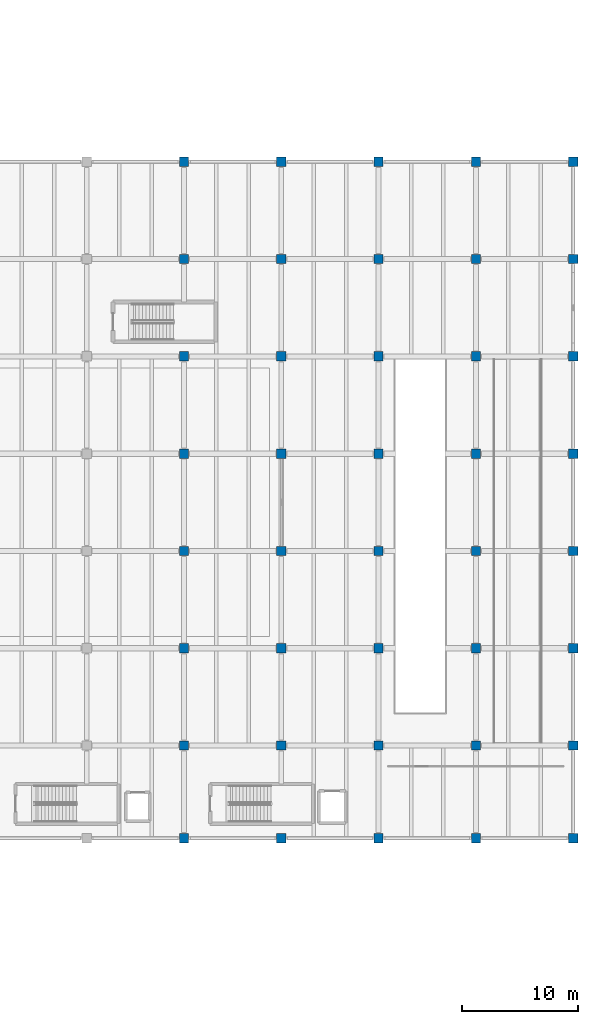
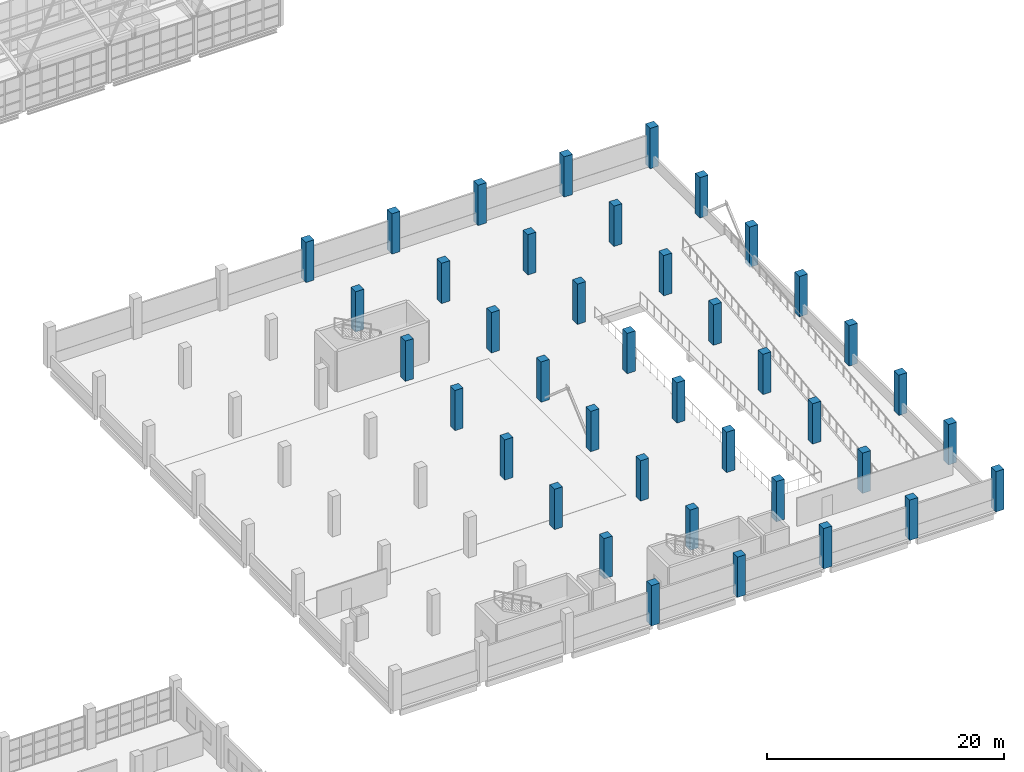
# One storey, part 6 of 177: 40 columns.
"""IFC4 building model written with IfcOpenShell, lengths in metres."""

import ifcopenshell
import ifcopenshell.guid

model = None  # the IFC model being written
_history = None  # IfcOwnerHistory: only IFC2X3 demands one
_inside = {}  # id of a spatial element -> (the spatial element, [elements in it])
_under = {}  # id of a project, library or spatial element -> (it, [spatial elements below it])
_declared = {}  # id of a project -> (the project, [libraries it declares])
_typed = {}  # id of a type object -> (the type object, [elements of that type])
_made_of = {}  # id of a material, layer set ... -> (it, [elements and type objects made of it])


def new_model(schema):
    """Start an empty IFC model of exactly this schema.

    Asked for "IFC4X3", IfcOpenShell would pick the latest addendum, in which some entities
    have other attributes; the version numbers below select the first issue.
    IFC2X3 requires an IfcOwnerHistory on every rooted entity: one is made here for all.
    """
    global model, _history
    if schema == "IFC4X3":
        model = ifcopenshell.file(schema_version=(4, 3, 0, 0))
    else:
        model = ifcopenshell.file(schema=schema)
    _inside.clear()
    _under.clear()
    _declared.clear()
    _typed.clear()
    _made_of.clear()
    _history = None
    if model.schema == "IFC2X3":
        org = make("IfcOrganization", Name="unknown")
        user = make(
            "IfcPersonAndOrganization",
            ThePerson=make("IfcPerson", FamilyName="unknown"),
            TheOrganization=org,
        )
        app = make(
            "IfcApplication",
            ApplicationDeveloper=org,
            Version="unknown",
            ApplicationFullName="unknown",
            ApplicationIdentifier="unknown",
        )
        _history = make(
            "IfcOwnerHistory",
            OwningUser=user,
            OwningApplication=app,
            ChangeAction="ADDED",
            CreationDate=0,
        )
    return model


def make(cls, **values):
    """One entity of the class cls with the attributes given. An attribute that is None is left unset."""
    return model.create_entity(
        cls, **{name: value for name, value in values.items() if value is not None}
    )


def rooted(cls, **values):
    """An entity with a GlobalId (a new one), such as an element, a storey or a relation."""
    return make(cls, GlobalId=ifcopenshell.guid.new(), OwnerHistory=_history, **values)


def si_unit(unit_type, name, prefix=None):
    """IfcSIUnit, for example si_unit("LENGTHUNIT", "METRE", prefix="MILLI")."""
    return make("IfcSIUnit", UnitType=unit_type, Prefix=prefix, Name=name)


def assignment(units):
    """IfcUnitAssignment: the units of a project."""
    return None if units is None else make("IfcUnitAssignment", Units=units)


def point(xyz):
    """IfcCartesianPoint."""
    return None if xyz is None else make("IfcCartesianPoint", Coordinates=xyz)


def direction(xyz):
    """IfcDirection."""
    return None if xyz is None else make("IfcDirection", DirectionRatios=xyz)


def frame(location, z_axis=None, x_axis=None):
    """IfcAxis2Placement3D, a coordinate frame: its origin and axes. An axis left out is left unset."""
    return make(
        "IfcAxis2Placement3D",
        Location=point(location),
        Axis=direction(z_axis),
        RefDirection=direction(x_axis),
    )


def frame_2d(location, x_axis=None):
    """IfcAxis2Placement2D, a coordinate frame in the plane: its origin and x axis."""
    return make(
        "IfcAxis2Placement2D", Location=point(location), RefDirection=direction(x_axis)
    )


def origin():
    """The frame at (0, 0, 0) with its axes left unset."""
    return frame((0.0, 0.0, 0.0))


def origin_2d():
    """The frame at (0, 0) in the plane with its x axis left unset."""
    return frame_2d((0.0, 0.0))


def place(relative_to, where):
    """IfcLocalPlacement: puts the frame where relative to a parent placement (None: the world)."""
    return make(
        "IfcLocalPlacement", PlacementRelTo=relative_to, RelativePlacement=where
    )


def context(
    kind, dimensions, precision=None, world=None, true_north=None, identifier=None
):
    """IfcGeometricRepresentationContext, for example the 3D "Model" context."""
    return make(
        "IfcGeometricRepresentationContext",
        ContextIdentifier=identifier,
        ContextType=kind,
        CoordinateSpaceDimension=dimensions,
        Precision=precision,
        WorldCoordinateSystem=world,
        TrueNorth=true_north,
    )


def subcontext(parent, identifier, kind, view, scale=None):
    """IfcGeometricRepresentationSubContext, for example "Body" below "Model"."""
    return make(
        "IfcGeometricRepresentationSubContext",
        ContextIdentifier=identifier,
        ContextType=kind,
        ParentContext=parent,
        TargetScale=scale,
        TargetView=view,
    )


def project(units=None, contexts=None):
    """IfcProject with its units and contexts."""
    return rooted(
        "IfcProject",
        Name="project",
        RepresentationContexts=contexts,
        UnitsInContext=assignment(units),
    )


def spatial(cls, under=None, at=None, **own):
    """A site, building, storey or space (cls), placed at a placement, below another one or the project."""
    s = rooted(cls, ObjectPlacement=at, **own)
    if under is not None:
        _under.setdefault(under.id(), (under, []))[1].append(s)
    return s


def profile(cls, at=None, kind="AREA", **sizes):
    """A parametric profile (cls). Its sizes go by their IFC names, for example OverallWidth=200.0."""
    return make(cls, ProfileType=kind, Position=at, **sizes)


def rectangle(**sizes):
    """IfcRectangleProfileDef."""
    return profile("IfcRectangleProfileDef", **sizes)


def extrude(swept, where, along, depth):
    """IfcExtrudedAreaSolid: the profile swept, set in the frame where, extruded along a direction by depth."""
    return make(
        "IfcExtrudedAreaSolid",
        SweptArea=swept,
        Position=where,
        ExtrudedDirection=direction(along),
        Depth=depth,
    )


def shape(context_of_items, identifier, shape_type, items):
    """IfcShapeRepresentation: the items that make up one representation, for example the "Body"."""
    return make(
        "IfcShapeRepresentation",
        ContextOfItems=context_of_items,
        RepresentationIdentifier=identifier,
        RepresentationType=shape_type,
        Items=items,
    )


def material(Name=None, Category=None):
    """IfcMaterial."""
    return make("IfcMaterial", Name=Name, Category=Category)


def material_profile(
    of_material, cross_section, Name=None, Category=None, Priority=None
):
    """IfcMaterialProfile: a cross section and its material."""
    return make(
        "IfcMaterialProfile",
        Name=Name,
        Material=of_material,
        Profile=cross_section,
        Priority=Priority,
        Category=Category,
    )


def profile_set(profiles, Name=None, composite=None):
    """IfcMaterialProfileSet."""
    return make(
        "IfcMaterialProfileSet",
        Name=Name,
        MaterialProfiles=profiles,
        CompositeProfile=composite,
    )


def made_of(thing, what):
    """Note that an element or type object is made of a material, layer set ...; save() writes the relation."""
    if what is not None:
        _made_of.setdefault(what.id(), (what, []))[1].append(thing)
    return thing


def type_object(cls, material=None, **own):
    """A type object (cls), such as IfcWallType, which elements share."""
    return made_of(rooted(cls, **own), material)


def element(
    cls,
    number,
    at=None,
    inside=None,
    cuts=None,
    type_object=None,
    material=None,
    context=None,
    identifier="Body",
    shape_type=None,
    held_by="IfcProductDefinitionShape",
    body=None,
    shapes=None,
    **own,
):
    """One element of the class cls, such as IfcWall. Its Tag is "e" and its number.

    at: its placement. inside: the storey or other place that contains it. cuts: it is an
    opening in that element (IfcRelVoidsElement). A single representation is given by context,
    identifier, shape_type and body (its items); several are given by shapes. held_by: the class
    of the entity that holds the representations. save() writes the other relations.
    """
    e = rooted(cls, Tag="e%d" % number, ObjectPlacement=at, **own)
    if body is not None:
        shapes = [shape(context, identifier, shape_type, body)]
    if shapes is not None:
        e.Representation = make(held_by, Representations=shapes)
    if inside is not None:
        _inside.setdefault(inside.id(), (inside, []))[1].append(e)
    if cuts is not None:
        rooted(
            "IfcRelVoidsElement", RelatingBuildingElement=cuts, RelatedOpeningElement=e
        )
    if type_object is not None:
        _typed.setdefault(type_object.id(), (type_object, []))[1].append(e)
    return made_of(e, material)


def aggregate(whole, parts):
    """IfcRelAggregates: a whole, such as a stair, and the parts it consists of."""
    return rooted("IfcRelAggregates", RelatingObject=whole, RelatedObjects=parts)


def save(model, path):
    """Write the relations noted so far, then the file.

    IfcRelAggregates (storeys below a building ...), IfcRelContainedInSpatialStructure (elements
    in a storey), IfcRelDefinesByType, IfcRelAssociatesMaterial and IfcRelDeclares: one each for
    every whole, place, type object, material and project.
    """
    for whole, parts in _under.values():
        aggregate(whole, parts)
    for where, things in _inside.values():
        rooted(
            "IfcRelContainedInSpatialStructure",
            RelatedElements=things,
            RelatingStructure=where,
        )
    for kind, things in _typed.values():
        rooted("IfcRelDefinesByType", RelatedObjects=things, RelatingType=kind)
    for what, things in _made_of.values():
        rooted("IfcRelAssociatesMaterial", RelatedObjects=things, RelatingMaterial=what)
    for by, libraries in _declared.values():
        rooted("IfcRelDeclares", RelatingContext=by, RelatedDefinitions=libraries)
    model.write(path)


model = new_model("IFC4")

# Units and contexts
model_context = context("Model", 3, precision=1e-05, world=origin(), true_north=direction((0.0, 1.0)))
body_context = subcontext(model_context, "Body", "Model", "MODEL_VIEW")
ifc_project = project(units=[si_unit("LENGTHUNIT", "METRE"), si_unit("AREAUNIT", "SQUARE_METRE"), si_unit("VOLUMEUNIT", "CUBIC_METRE"), si_unit("PLANEANGLEUNIT", "RADIAN"), si_unit("MASSUNIT", "GRAM", prefix="KILO"), si_unit("THERMODYNAMICTEMPERATUREUNIT", "KELVIN"), si_unit("POWERUNIT", "WATT")], contexts=[model_context])

# Site, building, storey
site_placement = place(None, origin())
site = spatial("IfcSite", under=ifc_project, at=site_placement, CompositionType="ELEMENT")
building_placement = place(site_placement, origin())
building = spatial("IfcBuilding", under=site, at=building_placement, Name="Mavoryth Pier Ferry Terminal", CompositionType="ELEMENT")
storey_placement = place(building_placement, frame((0.0, 0.0, 5.43994140625)))
storey = spatial("IfcBuildingStorey", under=building, at=storey_placement, Name="L01", CompositionType="ELEMENT", Elevation=5.43994140625)

# Columns
ifc_material = material(Name="Concrete C40/50", Category="concrete")
ifc_material_profile = material_profile(ifc_material, rectangle(XDim=0.800048828125, YDim=0.800048828125, at=origin_2d()), Name="RC 800x800", Category="concrete")
ifc_profile_set = profile_set([ifc_material_profile], Name="Concrete C40/50 - RC 800x800")
column_type = type_object("IfcColumnType", Name="Col-RC-800x800", PredefinedType="COLUMN", material=ifc_profile_set)
for number, where, z_axis, x_axis, name in (
    (1, (134.39990234375, 14.0, 0.0), (0.0, 0.0, 1.0), (1.0, 0.0, 0.0), "Column C01-CC11-387"),
    (2, (134.39990234375, 22.0, 0.0), (0.0, 0.0, 1.0), (1.0, 0.0, 0.0), "Column C01-CC11-388"),
    (3, (134.39990234375, 30.39990234375, 0.0), (0.0, 0.0, 1.0), (1.0, 0.0, 0.0), "Column C01-CC11-389"),
    (4, (134.39990234375, 38.800048828125, 0.0), (0.0, 0.0, 1.0), (1.0, 0.0, 0.0), "Column C01-CC11-390"),
    (5, (134.39990234375, 47.199951171875, 0.0), (0.0, 0.0, 1.0), (1.0, 0.0, 0.0), "Column C01-CC11-391"),
    (6, (134.39990234375, 55.60009765625, 0.0), (0.0, 0.0, 1.0), (1.0, 0.0, 0.0), "Column C01-CC11-392"),
    (7, (134.39990234375, 64.0, 0.0), (0.0, 0.0, 1.0), (1.0, 0.0, 0.0), "Column C01-CC11-393"),
    (8, (134.39990234375, 72.39990234375, 0.0), (0.0, 0.0, 1.0), (1.0, 0.0, 0.0), "Column C01-CC11-394"),
    (9, (142.800048828125, 14.0, 0.0), (0.0, 0.0, 1.0), (1.0, 0.0, 0.0), "Column C01-CC11-395"),
    (10, (142.800048828125, 22.0, 0.0), (0.0, 0.0, 1.0), (1.0, 0.0, 0.0), "Column C01-CC11-396"),
    (11, (142.800048828125, 30.39990234375, 0.0), (0.0, 0.0, 1.0), (1.0, 0.0, 0.0), "Column C01-CC11-397"),
    (12, (142.800048828125, 38.800048828125, 0.0), (0.0, 0.0, 1.0), (1.0, 0.0, 0.0), "Column C01-CC11-398"),
    (13, (142.800048828125, 47.199951171875, 0.0), (0.0, 0.0, 1.0), (1.0, 0.0, 0.0), "Column C01-CC11-399"),
    (14, (142.800048828125, 55.60009765625, 0.0), (0.0, 0.0, 1.0), (1.0, 0.0, 0.0), "Column C01-CC11-400"),
    (15, (142.800048828125, 64.0, 0.0), (0.0, 0.0, 1.0), (1.0, 0.0, 0.0), "Column C01-CC11-401"),
    (16, (142.800048828125, 72.39990234375, 0.0), (0.0, 0.0, 1.0), (1.0, 0.0, 0.0), "Column C01-CC11-402"),
    (17, (151.199951171875, 14.0, 0.0), (0.0, 0.0, 1.0), (1.0, 0.0, 0.0), "Column C01-CC11-403"),
    (18, (151.199951171875, 22.0, 0.0), (0.0, 0.0, 1.0), (1.0, 0.0, 0.0), "Column C01-CC11-404"),
    (19, (151.199951171875, 30.39990234375, 0.0), (0.0, 0.0, 1.0), (1.0, 0.0, 0.0), "Column C01-CC11-405"),
    (20, (151.199951171875, 38.800048828125, 0.0), (0.0, 0.0, 1.0), (1.0, 0.0, 0.0), "Column C01-CC11-406"),
    (21, (151.199951171875, 47.199951171875, 0.0), (0.0, 0.0, 1.0), (1.0, 0.0, 0.0), "Column C01-CC11-407"),
    (22, (151.199951171875, 55.60009765625, 0.0), (0.0, 0.0, 1.0), (1.0, 0.0, 0.0), "Column C01-CC11-408"),
    (23, (151.199951171875, 64.0, 0.0), (0.0, 0.0, 1.0), (1.0, 0.0, 0.0), "Column C01-CC11-409"),
    (24, (151.199951171875, 72.39990234375, 0.0), (0.0, 0.0, 1.0), (1.0, 0.0, 0.0), "Column C01-CC11-410"),
    (25, (159.60009765625, 14.0, 0.0), (0.0, 0.0, 1.0), (1.0, 0.0, 0.0), "Column C01-CC11-411"),
    (26, (159.60009765625, 22.0, 0.0), (0.0, 0.0, 1.0), (1.0, 0.0, 0.0), "Column C01-CC11-412"),
    (27, (159.60009765625, 30.39990234375, 0.0), (0.0, 0.0, 1.0), (1.0, 0.0, 0.0), "Column C01-CC11-413"),
    (28, (159.60009765625, 38.800048828125, 0.0), (0.0, 0.0, 1.0), (1.0, 0.0, 0.0), "Column C01-CC11-414"),
    (29, (159.60009765625, 47.199951171875, 0.0), (0.0, 0.0, 1.0), (1.0, 0.0, 0.0), "Column C01-CC11-415"),
    (30, (159.60009765625, 55.60009765625, 0.0), (0.0, 0.0, 1.0), (1.0, 0.0, 0.0), "Column C01-CC11-416"),
    (31, (159.60009765625, 64.0, 0.0), (0.0, 0.0, 1.0), (1.0, 0.0, 0.0), "Column C01-CC11-417"),
    (32, (159.60009765625, 72.39990234375, 0.0), (0.0, 0.0, 1.0), (1.0, 0.0, 0.0), "Column C01-CC11-418"),
    (33, (168.0, 14.0, 0.0), (0.0, 0.0, 1.0), (1.0, 0.0, 0.0), "Column C01-CC11-419"),
    (34, (168.0, 22.0, 0.0), (0.0, 0.0, 1.0), (1.0, 0.0, 0.0), "Column C01-CC11-420"),
    (35, (168.0, 30.39990234375, 0.0), (0.0, 0.0, 1.0), (1.0, 0.0, 0.0), "Column C01-CC11-421"),
    (36, (168.0, 38.800048828125, 0.0), (0.0, 0.0, 1.0), (1.0, 0.0, 0.0), "Column C01-CC11-422"),
    (37, (168.0, 47.199951171875, 0.0), (0.0, 0.0, 1.0), (1.0, 0.0, 0.0), "Column C01-CC11-423"),
    (38, (168.0, 55.60009765625, 0.0), (0.0, 0.0, 1.0), (1.0, 0.0, 0.0), "Column C01-CC11-424"),
    (39, (168.0, 64.0, 0.0), (0.0, 0.0, 1.0), (1.0, 0.0, 0.0), "Column C01-CC11-425"),
    (40, (168.0, 72.39990234375, 0.0), (0.0, 0.0, 1.0), (1.0, 0.0, 0.0), "Column C01-CC11-426"),
):
    element("IfcColumn", number, at=place(storey_placement, frame(where, z_axis=z_axis, x_axis=x_axis)), inside=storey, type_object=column_type, Name=name, PredefinedType="COLUMN", context=body_context, shape_type="SweptSolid", body=[
        extrude(rectangle(XDim=0.800048828125, YDim=0.800048828125, at=origin_2d()), origin(), (0.0, 0.0, 1.0), 4.16015625),
    ])

save(model, "model.ifc")
